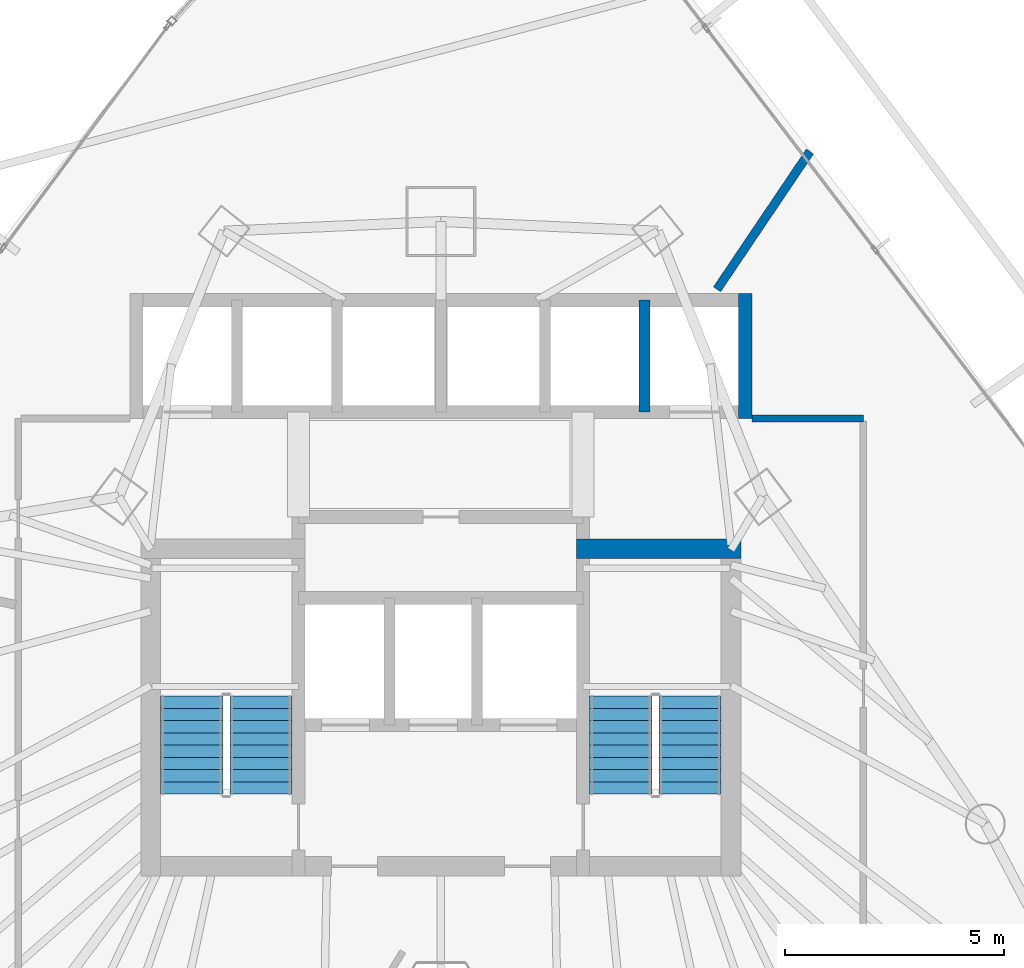
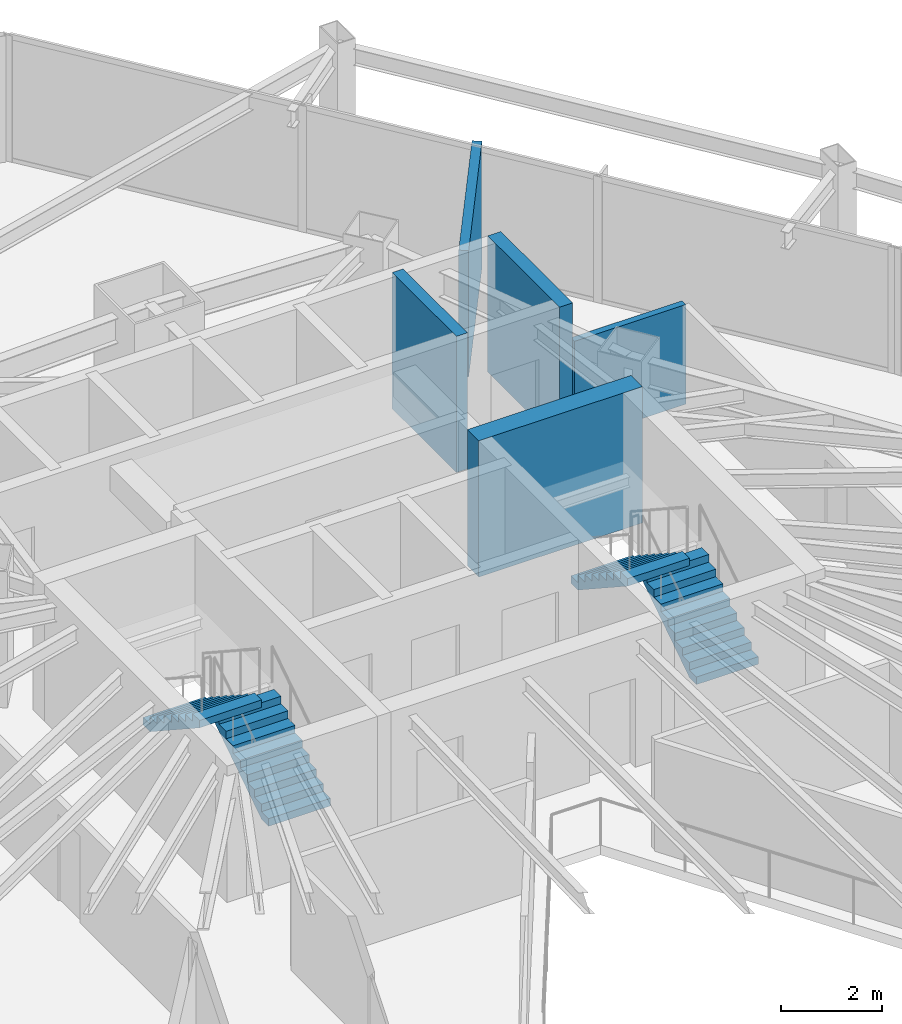
# One storey, part 33 of 37: 5 walls, 4 stair flights, 2 elements without a shape of their own.
"""IFC4 building model written with IfcOpenShell, lengths in metres."""

import ifcopenshell
import ifcopenshell.guid

model = None  # the IFC model being written
_history = None  # IfcOwnerHistory: only IFC2X3 demands one
_inside = {}  # id of a spatial element -> (the spatial element, [elements in it])
_under = {}  # id of a project, library or spatial element -> (it, [spatial elements below it])
_declared = {}  # id of a project -> (the project, [libraries it declares])
_typed = {}  # id of a type object -> (the type object, [elements of that type])
_made_of = {}  # id of a material, layer set ... -> (it, [elements and type objects made of it])


def new_model(schema):
    """Start an empty IFC model of exactly this schema.

    Asked for "IFC4X3", IfcOpenShell would pick the latest addendum, in which some entities
    have other attributes; the version numbers below select the first issue.
    IFC2X3 requires an IfcOwnerHistory on every rooted entity: one is made here for all.
    """
    global model, _history
    if schema == "IFC4X3":
        model = ifcopenshell.file(schema_version=(4, 3, 0, 0))
    else:
        model = ifcopenshell.file(schema=schema)
    _inside.clear()
    _under.clear()
    _declared.clear()
    _typed.clear()
    _made_of.clear()
    _history = None
    if model.schema == "IFC2X3":
        org = make("IfcOrganization", Name="unknown")
        user = make(
            "IfcPersonAndOrganization",
            ThePerson=make("IfcPerson", FamilyName="unknown"),
            TheOrganization=org,
        )
        app = make(
            "IfcApplication",
            ApplicationDeveloper=org,
            Version="unknown",
            ApplicationFullName="unknown",
            ApplicationIdentifier="unknown",
        )
        _history = make(
            "IfcOwnerHistory",
            OwningUser=user,
            OwningApplication=app,
            ChangeAction="ADDED",
            CreationDate=0,
        )
    return model


def make(cls, **values):
    """One entity of the class cls with the attributes given. An attribute that is None is left unset."""
    return model.create_entity(
        cls, **{name: value for name, value in values.items() if value is not None}
    )


def rooted(cls, **values):
    """An entity with a GlobalId (a new one), such as an element, a storey or a relation."""
    return make(cls, GlobalId=ifcopenshell.guid.new(), OwnerHistory=_history, **values)


def si_unit(unit_type, name, prefix=None):
    """IfcSIUnit, for example si_unit("LENGTHUNIT", "METRE", prefix="MILLI")."""
    return make("IfcSIUnit", UnitType=unit_type, Prefix=prefix, Name=name)


def assignment(units):
    """IfcUnitAssignment: the units of a project."""
    return None if units is None else make("IfcUnitAssignment", Units=units)


def point(xyz):
    """IfcCartesianPoint."""
    return None if xyz is None else make("IfcCartesianPoint", Coordinates=xyz)


def direction(xyz):
    """IfcDirection."""
    return None if xyz is None else make("IfcDirection", DirectionRatios=xyz)


def frame(location, z_axis=None, x_axis=None):
    """IfcAxis2Placement3D, a coordinate frame: its origin and axes. An axis left out is left unset."""
    return make(
        "IfcAxis2Placement3D",
        Location=point(location),
        Axis=direction(z_axis),
        RefDirection=direction(x_axis),
    )


def frame_2d(location, x_axis=None):
    """IfcAxis2Placement2D, a coordinate frame in the plane: its origin and x axis."""
    return make(
        "IfcAxis2Placement2D", Location=point(location), RefDirection=direction(x_axis)
    )


def origin():
    """The frame at (0, 0, 0) with its axes left unset."""
    return frame((0.0, 0.0, 0.0))


def place(relative_to, where):
    """IfcLocalPlacement: puts the frame where relative to a parent placement (None: the world)."""
    return make(
        "IfcLocalPlacement", PlacementRelTo=relative_to, RelativePlacement=where
    )


def context(
    kind, dimensions, precision=None, world=None, true_north=None, identifier=None
):
    """IfcGeometricRepresentationContext, for example the 3D "Model" context."""
    return make(
        "IfcGeometricRepresentationContext",
        ContextIdentifier=identifier,
        ContextType=kind,
        CoordinateSpaceDimension=dimensions,
        Precision=precision,
        WorldCoordinateSystem=world,
        TrueNorth=true_north,
    )


def subcontext(parent, identifier, kind, view, scale=None):
    """IfcGeometricRepresentationSubContext, for example "Body" below "Model"."""
    return make(
        "IfcGeometricRepresentationSubContext",
        ContextIdentifier=identifier,
        ContextType=kind,
        ParentContext=parent,
        TargetScale=scale,
        TargetView=view,
    )


def project(units=None, contexts=None):
    """IfcProject with its units and contexts."""
    return rooted(
        "IfcProject",
        Name="project",
        RepresentationContexts=contexts,
        UnitsInContext=assignment(units),
    )


def spatial(cls, under=None, at=None, **own):
    """A site, building, storey or space (cls), placed at a placement, below another one or the project."""
    s = rooted(cls, ObjectPlacement=at, **own)
    if under is not None:
        _under.setdefault(under.id(), (under, []))[1].append(s)
    return s


def polyline(points):
    """IfcPolyline through the points."""
    return make("IfcPolyline", Points=[point(p) for p in points])


def profile(cls, at=None, kind="AREA", **sizes):
    """A parametric profile (cls). Its sizes go by their IFC names, for example OverallWidth=200.0."""
    return make(cls, ProfileType=kind, Position=at, **sizes)


def rectangle(**sizes):
    """IfcRectangleProfileDef."""
    return profile("IfcRectangleProfileDef", **sizes)


def outline(outer, holes=None, kind="AREA"):
    """IfcArbitraryClosedProfileDef: a profile drawn as a closed curve; with holes, ...WithVoids."""
    if holes is None:
        return make("IfcArbitraryClosedProfileDef", ProfileType=kind, OuterCurve=outer)
    return make(
        "IfcArbitraryProfileDefWithVoids",
        ProfileType=kind,
        OuterCurve=outer,
        InnerCurves=holes,
    )


def extrude(swept, where, along, depth):
    """IfcExtrudedAreaSolid: the profile swept, set in the frame where, extruded along a direction by depth."""
    return make(
        "IfcExtrudedAreaSolid",
        SweptArea=swept,
        Position=where,
        ExtrudedDirection=direction(along),
        Depth=depth,
    )


def shape(context_of_items, identifier, shape_type, items):
    """IfcShapeRepresentation: the items that make up one representation, for example the "Body"."""
    return make(
        "IfcShapeRepresentation",
        ContextOfItems=context_of_items,
        RepresentationIdentifier=identifier,
        RepresentationType=shape_type,
        Items=items,
    )


def material(Name=None, Category=None):
    """IfcMaterial."""
    return make("IfcMaterial", Name=Name, Category=Category)


def layer(
    of_material, thickness, ventilated=None, Name=None, Category=None, Priority=None
):
    """IfcMaterialLayer: one layer of a wall or slab, of a material (None: an air gap)."""
    return make(
        "IfcMaterialLayer",
        Material=of_material,
        LayerThickness=thickness,
        IsVentilated=ventilated,
        Name=Name,
        Category=Category,
        Priority=Priority,
    )


def layer_set(layers, Name=None):
    """IfcMaterialLayerSet."""
    return make("IfcMaterialLayerSet", MaterialLayers=layers, LayerSetName=Name)


def made_of(thing, what):
    """Note that an element or type object is made of a material, layer set ...; save() writes the relation."""
    if what is not None:
        _made_of.setdefault(what.id(), (what, []))[1].append(thing)
    return thing


def type_object(cls, material=None, **own):
    """A type object (cls), such as IfcWallType, which elements share."""
    return made_of(rooted(cls, **own), material)


def element(
    cls,
    number,
    at=None,
    inside=None,
    cuts=None,
    type_object=None,
    material=None,
    context=None,
    identifier="Body",
    shape_type=None,
    held_by="IfcProductDefinitionShape",
    body=None,
    shapes=None,
    **own,
):
    """One element of the class cls, such as IfcWall. Its Tag is "e" and its number.

    at: its placement. inside: the storey or other place that contains it. cuts: it is an
    opening in that element (IfcRelVoidsElement). A single representation is given by context,
    identifier, shape_type and body (its items); several are given by shapes. held_by: the class
    of the entity that holds the representations. save() writes the other relations.
    """
    e = rooted(cls, Tag="e%d" % number, ObjectPlacement=at, **own)
    if body is not None:
        shapes = [shape(context, identifier, shape_type, body)]
    if shapes is not None:
        e.Representation = make(held_by, Representations=shapes)
    if inside is not None:
        _inside.setdefault(inside.id(), (inside, []))[1].append(e)
    if cuts is not None:
        rooted(
            "IfcRelVoidsElement", RelatingBuildingElement=cuts, RelatedOpeningElement=e
        )
    if type_object is not None:
        _typed.setdefault(type_object.id(), (type_object, []))[1].append(e)
    return made_of(e, material)


def aggregate(whole, parts):
    """IfcRelAggregates: a whole, such as a stair, and the parts it consists of."""
    return rooted("IfcRelAggregates", RelatingObject=whole, RelatedObjects=parts)


def save(model, path):
    """Write the relations noted so far, then the file.

    IfcRelAggregates (storeys below a building ...), IfcRelContainedInSpatialStructure (elements
    in a storey), IfcRelDefinesByType, IfcRelAssociatesMaterial and IfcRelDeclares: one each for
    every whole, place, type object, material and project.
    """
    for whole, parts in _under.values():
        aggregate(whole, parts)
    for where, things in _inside.values():
        rooted(
            "IfcRelContainedInSpatialStructure",
            RelatedElements=things,
            RelatingStructure=where,
        )
    for kind, things in _typed.values():
        rooted("IfcRelDefinesByType", RelatedObjects=things, RelatingType=kind)
    for what, things in _made_of.values():
        rooted("IfcRelAssociatesMaterial", RelatedObjects=things, RelatingMaterial=what)
    for by, libraries in _declared.values():
        rooted("IfcRelDeclares", RelatingContext=by, RelatedDefinitions=libraries)
    model.write(path)


model = new_model("IFC4")

# Units and contexts
model_context = context("Model", 3, precision=1e-05, world=origin(), true_north=direction((0.0, 1.0)))
body_context = subcontext(model_context, "Body", "Model", "MODEL_VIEW")
ifc_project = project(units=[si_unit("LENGTHUNIT", "METRE"), si_unit("AREAUNIT", "SQUARE_METRE"), si_unit("VOLUMEUNIT", "CUBIC_METRE"), si_unit("PLANEANGLEUNIT", "RADIAN"), si_unit("MASSUNIT", "GRAM", prefix="KILO")], contexts=[model_context])

# Site, building, storey
site_placement = place(None, origin())
site = spatial("IfcSite", under=ifc_project, at=site_placement, CompositionType="ELEMENT")
building_placement = place(site_placement, origin())
building = spatial("IfcBuilding", under=site, at=building_placement, Name="Orvanel Arch Residences", CompositionType="ELEMENT")
storey_placement = place(building_placement, frame((0.0, 0.0, 53.300048828125)))
storey = spatial("IfcBuildingStorey", under=building, at=storey_placement, Name="L14", CompositionType="ELEMENT", Elevation=53.300048828125)

# Walls
ifc_material_1 = material(Name="Concrete N50 (50 MPa)", Category="concrete")
ifc_layer_1 = layer(ifc_material_1, 0.25)
ifc_layer_set_1 = layer_set([ifc_layer_1], Name="Concrete N50 (50 MPa)")
wall_type_1 = type_object("IfcWallType", Name="SW-CORE-250", PredefinedType="SHEAR", material=ifc_layer_set_1)
wall_1_placement = place(storey_placement, frame((37.64990234375, 37.050048828125, 0.0), z_axis=(0.0, 0.0, 1.0), x_axis=(0.0, 1.0, 0.0)))
element("IfcWall", 1, at=wall_1_placement, inside=storey, type_object=wall_type_1, Name="L14 Passenger Lift Inter-Shaft Wall P42", PredefinedType="SHEAR", context=body_context, shape_type="SweptSolid", body=[
    extrude(rectangle(XDim=2.550048828125, YDim=0.25, at=frame_2d((1.27490234375, 0.0))), origin(), (0.0, 0.0, 1.0), 3.300048828125),
])
ifc_material_2 = material(Name="Concrete S80 (80 MPa)", Category="concrete")
ifc_layer_2 = layer(ifc_material_2, 0.300048828125)
ifc_layer_set_2 = layer_set([ifc_layer_2], Name="Concrete S80 (80 MPa)")
wall_type_2 = type_object("IfcWallType", Name="SW-CORE-300", PredefinedType="SHEAR", material=ifc_layer_set_2)
wall_2_placement = place(storey_placement, frame((39.949951171875, 36.89990234375, 0.0), z_axis=(0.0, 0.0, 1.0), x_axis=(0.0, 1.0, 0.0)))
element("IfcWall", 2, at=wall_2_placement, inside=storey, type_object=wall_type_2, Name="L14 Passenger Lift Bank East Shear Wall", PredefinedType="SHEAR", context=body_context, shape_type="SweptSolid", body=[
    extrude(rectangle(XDim=2.85009765625, YDim=0.300048828125, at=frame_2d((1.425048828125, 0.0))), origin(), (0.0, 0.0, 1.0), 3.300048828125),
])
ifc_layer_3 = layer(ifc_material_2, 0.449951171875)
ifc_layer_set_3 = layer_set([ifc_layer_3], Name="Concrete S80 (80 MPa)")
wall_type_3 = type_object("IfcWallType", Name="SW-CORE-450", PredefinedType="SHEAR", material=ifc_layer_set_3)
wall_3_placement = place(storey_placement, frame((36.10009765625, 33.925048828125, 0.0), z_axis=(0.0, 0.0, 1.0), x_axis=(1.0, 0.0, 0.0)))
element("IfcWall", 3, at=wall_3_placement, inside=storey, type_object=wall_type_3, Name="L14 East Stair North Shear Wall", PredefinedType="SHEAR", context=body_context, shape_type="SweptSolid", body=[
    extrude(rectangle(XDim=3.75, YDim=0.449951171875, at=frame_2d((1.875, 0.0))), origin(), (0.0, 0.0, 1.0), 3.300048828125),
])
ifc_material_3 = material(Name="Fire-rated plasterboard lined steel stud partition", Category="steel")
ifc_layer_4 = layer(ifc_material_3, 0.14990234375)
ifc_layer_set_4 = layer_set([ifc_layer_4], Name="Fire-rated plasterboard lined steel stud partition")
wall_type_4 = type_object("IfcWallType", Name="W-COR-150", PredefinedType="PARTITIONING", material=ifc_layer_set_4)
wall_4_placement = place(storey_placement, frame((40.10009765625, 36.89990234375, 0.0), z_axis=(0.0, 0.0, 1.0), x_axis=(1.0, 0.0, 0.0)))
element("IfcWall", 4, at=wall_4_placement, inside=storey, type_object=wall_type_4, Name="L14 Corridor Fire-Rated Partition", PredefinedType="PARTITIONING", context=body_context, shape_type="SweptSolid", body=[
    extrude(rectangle(XDim=2.5498046875, YDim=0.14990234375, at=frame_2d((1.27490234375, 0.0))), origin(), (0.0, 0.0, 1.0), 2.412841796875),
])
ifc_layer_5 = layer(ifc_material_3, 0.199951171875)
ifc_layer_set_5 = layer_set([ifc_layer_5], Name="Fire-rated plasterboard lined steel stud partition")
wall_type_5 = type_object("IfcWallType", Name="W-DEM-200", PredefinedType="PARTITIONING", material=ifc_layer_set_5)
wall_5_placement = place(storey_placement, frame((41.428955078125, 42.9970703125, 0.0), z_axis=(0.0, 0.0, 1.0), x_axis=(-0.559086144532, -0.829109572368, 0.0)))
element("IfcWall", 5, at=wall_5_placement, inside=storey, type_object=wall_type_5, Name="L14 Inter-Tenancy Acoustic Demising Wall", PredefinedType="PARTITIONING", context=body_context, shape_type="SweptSolid", body=[
    extrude(rectangle(XDim=3.795654296875, YDim=0.199951171875, at=frame_2d((1.89794921875, 0.0))), origin(), (0.0, 0.0, 1.0), 3.06005859375),
])

# Stair, stair flights
ifc_material_4 = material(Name="Precast concrete N50 (50 MPa)", Category="concrete")
stair_type = type_object("IfcStairType", Name="STR-DOG-184", PredefinedType="USERDEFINED", material=ifc_material_4)
stair_1_placement = place(storey_placement, origin())
stair_1 = element("IfcStair", 6, at=stair_1_placement, inside=storey, type_object=stair_type, Name="L14 Fire-Isolated Core Exit Stair 1", ObjectType="TWO_RETURN_STAIR", PredefinedType="USERDEFINED")
stair_flight_type_1 = type_object("IfcStairFlightType", Name="SFL-C1-184", PredefinedType="STRAIGHT", material=ifc_material_4)
stair_flight_1_placement = place(storey_placement, frame((28.889892578125, 28.320068359375, 0.0), z_axis=(0.0, 0.0, 1.0), x_axis=(0.0, 1.0, 0.0)))
stair_flight_1 = element("IfcStairFlight", 7, at=stair_flight_1_placement, type_object=stair_flight_type_1, Name="ST-1 flight 1", NumberOfRisers=9, NumberOfTreads=8, PredefinedType="STRAIGHT", RiserHeight=0.183333333, TreadLength=0.28, context=body_context, shape_type="SweptSolid", body=[
    extrude(outline(polyline([(0.0, 0.0), (0.0, 0.183349609375), (0.280029296875, 0.183349609375), (0.280029296875, 0.36669921875), (0.56005859375, 0.36669921875), (0.56005859375, 0.550048828125), (0.840087890625, 0.550048828125), (0.840087890625, 0.7333984375), (1.1201171875, 0.7333984375), (1.1201171875, 0.916748046875), (1.39990234375, 0.916748046875), (1.39990234375, 1.10009765625), (1.679931640625, 1.10009765625), (1.679931640625, 1.283447265625), (1.9599609375, 1.283447265625), (1.9599609375, 1.466552734375), (2.239990234375, 1.466552734375), (2.239990234375, 1.64990234375), (2.239990234375, 1.28759765625), (0.273681640625, 0.0), (0.0, 0.0)])), frame((0.0, 0.7099609375, 0.0), z_axis=(0.0, -1.0, 0.0), x_axis=(1.0, 0.0, 0.0)), (0.0, 0.0, 1.0), 1.419921875),
])
stair_flight_2_placement = place(storey_placement, frame((27.31005859375, 30.56005859375, 1.64990234375), z_axis=(0.0, 0.0, 1.0), x_axis=(0.0, -1.0, 0.0)))
stair_flight_2 = element("IfcStairFlight", 8, at=stair_flight_2_placement, type_object=stair_flight_type_1, Name="ST-1 flight 2", NumberOfRisers=9, NumberOfTreads=8, PredefinedType="STRAIGHT", RiserHeight=0.183333333, TreadLength=0.28, context=body_context, shape_type="SweptSolid", body=[
    extrude(outline(polyline([(0.0, 0.0), (0.0, 0.183349609375), (0.280029296875, 0.183349609375), (0.280029296875, 0.36669921875), (0.56005859375, 0.36669921875), (0.56005859375, 0.550048828125), (0.840087890625, 0.550048828125), (0.840087890625, 0.7333984375), (1.1201171875, 0.7333984375), (1.1201171875, 0.916748046875), (1.39990234375, 0.916748046875), (1.39990234375, 1.10009765625), (1.679931640625, 1.10009765625), (1.679931640625, 1.283447265625), (1.9599609375, 1.283447265625), (1.9599609375, 1.466552734375), (2.239990234375, 1.466552734375), (2.239990234375, 1.64990234375), (2.239990234375, 1.28759765625), (0.273681640625, 0.0), (0.0, 0.0)])), frame((0.0, 0.7099609375, 0.0), z_axis=(0.0, -1.0, 0.0), x_axis=(1.0, 0.0, 0.0)), (0.0, 0.0, 1.0), 1.419921875),
])
aggregate(stair_1, [stair_flight_1, stair_flight_2])

stair_2_placement = place(storey_placement, origin())
stair_2 = element("IfcStair", 9, at=stair_2_placement, inside=storey, type_object=stair_type, Name="L14 Fire-Isolated Core Exit Stair 2", ObjectType="TWO_RETURN_STAIR", PredefinedType="USERDEFINED")
stair_flight_type_2 = type_object("IfcStairFlightType", Name="SFL-C2-184", PredefinedType="STRAIGHT", material=ifc_material_4)
stair_flight_3_placement = place(storey_placement, frame((38.68994140625, 28.320068359375, 0.0), z_axis=(0.0, 0.0, 1.0), x_axis=(0.0, 1.0, 0.0)))
stair_flight_3 = element("IfcStairFlight", 10, at=stair_flight_3_placement, type_object=stair_flight_type_2, Name="ST-2 flight 1", NumberOfRisers=9, NumberOfTreads=8, PredefinedType="STRAIGHT", RiserHeight=0.183333333, TreadLength=0.28, context=body_context, shape_type="SweptSolid", body=[
    extrude(outline(polyline([(0.0, 0.0), (0.0, 0.183349609375), (0.280029296875, 0.183349609375), (0.280029296875, 0.36669921875), (0.56005859375, 0.36669921875), (0.56005859375, 0.550048828125), (0.840087890625, 0.550048828125), (0.840087890625, 0.7333984375), (1.1201171875, 0.7333984375), (1.1201171875, 0.916748046875), (1.39990234375, 0.916748046875), (1.39990234375, 1.10009765625), (1.679931640625, 1.10009765625), (1.679931640625, 1.283447265625), (1.9599609375, 1.283447265625), (1.9599609375, 1.466552734375), (2.239990234375, 1.466552734375), (2.239990234375, 1.64990234375), (2.239990234375, 1.28759765625), (0.273681640625, 0.0), (0.0, 0.0)])), frame((0.0, 0.7099609375, 0.0), z_axis=(0.0, -1.0, 0.0), x_axis=(1.0, 0.0, 0.0)), (0.0, 0.0, 1.0), 1.419921875),
])
stair_flight_4_placement = place(storey_placement, frame((37.110107421875, 30.56005859375, 1.64990234375), z_axis=(0.0, 0.0, 1.0), x_axis=(0.0, -1.0, 0.0)))
stair_flight_4 = element("IfcStairFlight", 11, at=stair_flight_4_placement, type_object=stair_flight_type_2, Name="ST-2 flight 2", NumberOfRisers=9, NumberOfTreads=8, PredefinedType="STRAIGHT", RiserHeight=0.183333333, TreadLength=0.28, context=body_context, shape_type="SweptSolid", body=[
    extrude(outline(polyline([(0.0, 0.0), (0.0, 0.183349609375), (0.280029296875, 0.183349609375), (0.280029296875, 0.36669921875), (0.56005859375, 0.36669921875), (0.56005859375, 0.550048828125), (0.840087890625, 0.550048828125), (0.840087890625, 0.7333984375), (1.1201171875, 0.7333984375), (1.1201171875, 0.916748046875), (1.39990234375, 0.916748046875), (1.39990234375, 1.10009765625), (1.679931640625, 1.10009765625), (1.679931640625, 1.283447265625), (1.9599609375, 1.283447265625), (1.9599609375, 1.466552734375), (2.239990234375, 1.466552734375), (2.239990234375, 1.64990234375), (2.239990234375, 1.28759765625), (0.273681640625, 0.0), (0.0, 0.0)])), frame((0.0, 0.7099609375, 0.0), z_axis=(0.0, -1.0, 0.0), x_axis=(1.0, 0.0, 0.0)), (0.0, 0.0, 1.0), 1.419921875),
])
aggregate(stair_2, [stair_flight_3, stair_flight_4])

save(model, "model.ifc")
